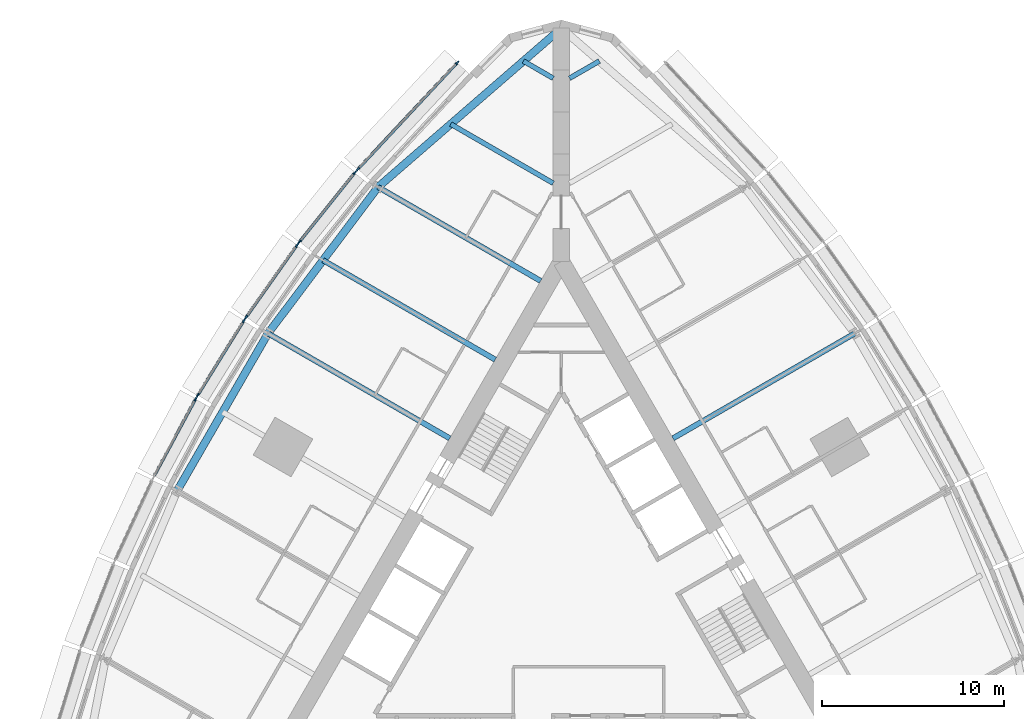
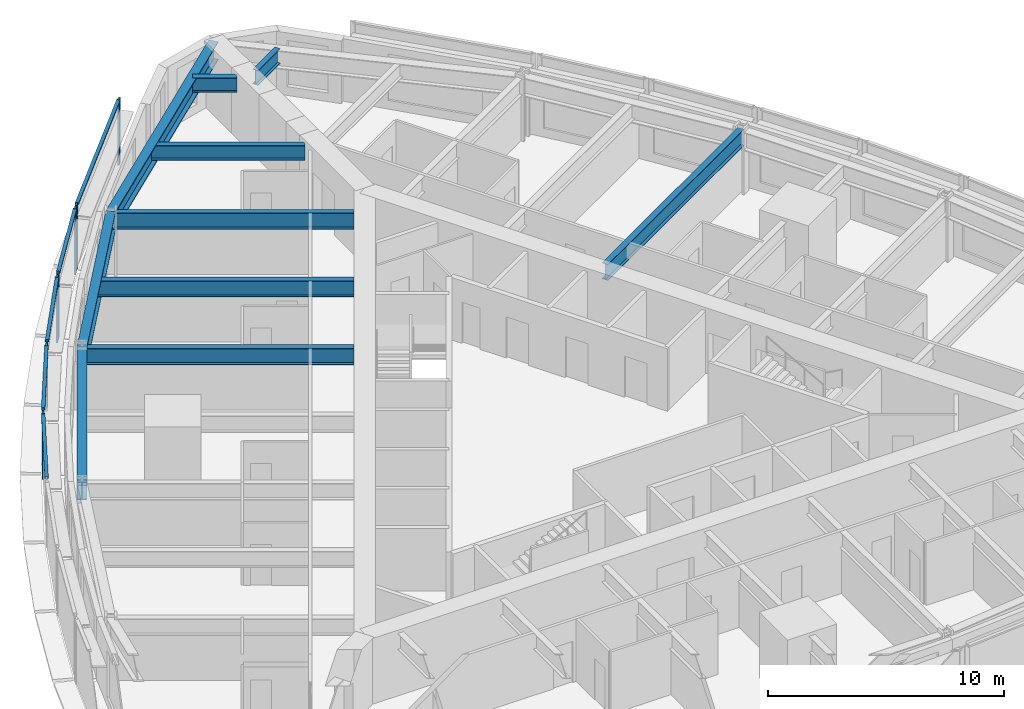
# One storey, part 4 of 14: 14 members, 10 beams, 5 elements without a shape of their own.
"""IFC4 building model written with IfcOpenShell, lengths in metres."""

from ifc_helpers import new_model, si_unit, direction, frame, origin, origin_2d, place, context, subcontext, project, spatial, rectangle, i_section, extrude, material, material_profile, profile_set, type_object, element, aggregate, save


model = new_model("IFC4")

# Units and contexts
model_context = context("Model", 3, precision=1e-05, world=origin(), true_north=direction((0.0, 1.0)))
body_context = subcontext(model_context, "Body", "Model", "MODEL_VIEW")
ifc_project = project(units=[si_unit("LENGTHUNIT", "METRE"), si_unit("AREAUNIT", "SQUARE_METRE"), si_unit("VOLUMEUNIT", "CUBIC_METRE"), si_unit("PLANEANGLEUNIT", "RADIAN"), si_unit("MASSUNIT", "GRAM", prefix="KILO")], contexts=[model_context])

# Site, building, storey
site_placement = place(None, origin())
site = spatial("IfcSite", under=ifc_project, at=site_placement, CompositionType="ELEMENT")
building_placement = place(site_placement, origin())
building = spatial("IfcBuilding", under=site, at=building_placement, Name="Trikona Tower", CompositionType="ELEMENT")
storey_placement = place(building_placement, frame((0.0, 0.0, 93.10009765625)))
storey = spatial("IfcBuildingStorey", under=building, at=storey_placement, Name="L24", CompositionType="ELEMENT", Elevation=93.10009765625)

# Curtain wall, members
ifc_material_1 = material(Name="Aluminium curtain wall system", Category="aluminium")
curtain_wall_type = type_object("IfcCurtainWallType", Name="Curtain wall DS1", PredefinedType="NOTDEFINED", material=ifc_material_1)
curtain_wall_1_placement = place(storey_placement, origin())
curtain_wall_1 = element("IfcCurtainWall", 1, at=curtain_wall_1_placement, inside=storey, type_object=curtain_wall_type, Name="Curtain wall DS1 L24", PredefinedType="NOTDEFINED")
ifc_material_2 = material(Name="Aluminium mullion, pale anodised", Category="aluminium")
ifc_material_profile_1 = material_profile(ifc_material_2, rectangle(XDim=0.080078125, YDim=0.219970703125, at=origin_2d()), Name="MUL-DS1")
ifc_profile_set_1 = profile_set([ifc_material_profile_1], Name="Aluminium mullion, pale anodised")
member_type_1 = type_object("IfcMemberType", Name="Mullion DS1 80x220", PredefinedType="MULLION", material=ifc_profile_set_1)
member_1_placement = place(storey_placement, frame((-5.72607421875, 29.98583984375, 0.0), z_axis=(0.0, 0.0, 1.0), x_axis=(0.731076639405, -0.682295351967, 0.0)))
member_1 = element("IfcMember", 2, at=member_1_placement, type_object=member_type_1, Name="CW-DS1 mullion 1", PredefinedType="MULLION", context=body_context, shape_type="SweptSolid", body=[
    extrude(rectangle(XDim=0.080078125, YDim=0.219970703125, at=origin_2d()), origin(), (0.0, 0.0, 1.0), 3.39990234375),
])
member_2_placement = place(storey_placement, frame((-11.192138671875, 24.129150390625, 0.0), z_axis=(0.0, 0.0, 1.0), x_axis=(0.731076639405, -0.682295351967, 0.0)))
member_2 = element("IfcMember", 3, at=member_2_placement, type_object=member_type_1, Name="CW-DS1 mullion 2", PredefinedType="MULLION", context=body_context, shape_type="SweptSolid", body=[
    extrude(rectangle(XDim=0.080078125, YDim=0.219970703125, at=origin_2d()), origin(), (0.0, 0.0, 1.0), 3.39990234375),
])

curtain_wall_2_placement = place(storey_placement, origin())
curtain_wall_2 = element("IfcCurtainWall", 4, at=curtain_wall_2_placement, inside=storey, type_object=curtain_wall_type, Name="Curtain wall DS1 L24", PredefinedType="NOTDEFINED")
member_3_placement = place(storey_placement, frame((-11.36767578125, 23.926025390625, 0.0), z_axis=(0.0, 0.0, 1.0), x_axis=(0.780937959679, -0.624608599951, 0.0)))
member_3 = element("IfcMember", 5, at=member_3_placement, type_object=member_type_1, Name="CW-DS1 mullion 1", PredefinedType="MULLION", context=body_context, shape_type="SweptSolid", body=[
    extrude(rectangle(XDim=0.080078125, YDim=0.219970703125, at=origin_2d()), origin(), (0.0, 0.0, 1.0), 3.39990234375),
])
member_4_placement = place(storey_placement, frame((-14.40185546875, 20.13232421875, 0.0), z_axis=(0.0, 0.0, 1.0), x_axis=(0.780937959679, -0.624608599951, 0.0)))
member_4 = element("IfcMember", 6, at=member_4_placement, type_object=member_type_1, Name="CW-DS1 mullion 2", PredefinedType="MULLION", context=body_context, shape_type="SweptSolid", body=[
    extrude(rectangle(XDim=0.080078125, YDim=0.219970703125, at=origin_2d()), origin(), (0.0, 0.0, 1.0), 3.39990234375),
])

curtain_wall_3_placement = place(storey_placement, origin())
curtain_wall_3 = element("IfcCurtainWall", 7, at=curtain_wall_3_placement, inside=storey, type_object=curtain_wall_type, Name="Curtain wall DS1 L24", PredefinedType="NOTDEFINED")
member_5_placement = place(storey_placement, frame((-14.554443359375, 19.929443359375, 0.0), z_axis=(0.0, 0.0, 1.0), x_axis=(0.816985393055, -0.576658362928, 0.0)))
member_5 = element("IfcMember", 8, at=member_5_placement, type_object=member_type_1, Name="CW-DS1 mullion 1", PredefinedType="MULLION", context=body_context, shape_type="SweptSolid", body=[
    extrude(rectangle(XDim=0.080078125, YDim=0.219970703125, at=origin_2d()), origin(), (0.0, 0.0, 1.0), 3.39990234375),
])
member_6_placement = place(storey_placement, frame((-17.33447265625, 15.990966796875, 0.0), z_axis=(0.0, 0.0, 1.0), x_axis=(0.816985393055, -0.576658362928, 0.0)))
member_6 = element("IfcMember", 9, at=member_6_placement, type_object=member_type_1, Name="CW-DS1 mullion 2", PredefinedType="MULLION", context=body_context, shape_type="SweptSolid", body=[
    extrude(rectangle(XDim=0.080078125, YDim=0.219970703125, at=origin_2d()), origin(), (0.0, 0.0, 1.0), 3.39990234375),
])

curtain_wall_4_placement = place(storey_placement, origin())
curtain_wall_4 = element("IfcCurtainWall", 10, at=curtain_wall_4_placement, inside=storey, type_object=curtain_wall_type, Name="Curtain wall DS1 L24", PredefinedType="NOTDEFINED")
member_7_placement = place(storey_placement, frame((-17.474853515625, 15.77880859375, 0.0), z_axis=(0.0, 0.0, 1.0), x_axis=(0.850410468941, -0.526119790842, 0.0)))
member_7 = element("IfcMember", 11, at=member_7_placement, type_object=member_type_1, Name="CW-DS1 mullion 1", PredefinedType="MULLION", context=body_context, shape_type="SweptSolid", body=[
    extrude(rectangle(XDim=0.080078125, YDim=0.219970703125, at=origin_2d()), origin(), (0.0, 0.0, 1.0), 3.39990234375),
])
member_8_placement = place(storey_placement, frame((-20.00146484375, 11.69482421875, 0.0), z_axis=(0.0, 0.0, 1.0), x_axis=(0.850410468941, -0.526119790842, 0.0)))
member_8 = element("IfcMember", 12, at=member_8_placement, type_object=member_type_1, Name="CW-DS1 mullion 2", PredefinedType="MULLION", context=body_context, shape_type="SweptSolid", body=[
    extrude(rectangle(XDim=0.080078125, YDim=0.219970703125, at=origin_2d()), origin(), (0.0, 0.0, 1.0), 3.39990234375),
])

# Curtain wall, member
curtain_wall_5_placement = place(storey_placement, origin())
curtain_wall_5 = element("IfcCurtainWall", 13, at=curtain_wall_5_placement, inside=storey, type_object=curtain_wall_type, Name="Curtain wall DS1 L24", PredefinedType="NOTDEFINED")
member_9_placement = place(storey_placement, frame((-20.128662109375, 11.474365234375, 0.0), z_axis=(0.0, 0.0, 1.0), x_axis=(0.880843080975, -0.473408350896, 0.0)))
member_9 = element("IfcMember", 14, at=member_9_placement, type_object=member_type_1, Name="CW-DS1 mullion 1", PredefinedType="MULLION", context=body_context, shape_type="SweptSolid", body=[
    extrude(rectangle(XDim=0.080078125, YDim=0.219970703125, at=origin_2d()), origin(), (0.0, 0.0, 1.0), 3.39990234375),
])

# Beams
ifc_material_3 = material(Name="Steel ASTM A992 Grade 50", Category="steel")
ifc_material_profile_2 = material_profile(ifc_material_3, i_section(OverallWidth=0.2666015625, OverallDepth=0.76953125, WebThickness=0.015625, FlangeThickness=0.025390625, at=origin_2d()), Name="W30X132")
ifc_profile_set_2 = profile_set([ifc_material_profile_2], Name="Steel ASTM A992 Grade 50")
beam_type_1 = type_object("IfcBeamType", Name="Steel beam W30x132 (wedge)", PredefinedType="BEAM", material=ifc_profile_set_2)
for number, where, z_axis, x_axis, name in (
    (15, (0.449951171875, 29.127197265625, 2.85009765625), (0.866009237431, 0.5000279999, 0.0), (-0.5000279999, 0.866009237431, 0.0), "Floor beam L25 F2 u25"),
    (16, (-0.449951171875, 29.127197265625, 2.85009765625), (-0.866009237431, 0.5000279999, 0.0), (-0.5000279999, -0.866009237431, 0.0), "Floor beam L25 F3 u-25"),
):
    element("IfcBeam", number, at=place(storey_placement, frame(where, z_axis=z_axis, x_axis=x_axis)), inside=storey, type_object=beam_type_1, Name=name, PredefinedType="BEAM", context=body_context, shape_type="SweptSolid", body=[
        extrude(i_section(OverallWidth=0.2666015625, OverallDepth=0.76953125, WebThickness=0.015625, FlangeThickness=0.025390625, at=origin_2d()), origin(), (0.0, 0.0, 1.0), 1.890625),
    ])
beam_1_placement = place(storey_placement, frame((-0.449951171875, 23.353759765625, 2.85009765625), z_axis=(-0.866022504693, 0.50000502134, 0.0), x_axis=(-0.50000502134, -0.866022504693, 0.0)))
element("IfcBeam", 17, at=beam_1_placement, inside=storey, type_object=beam_type_1, Name="Floor beam L25 F3 u-20", PredefinedType="BEAM", context=body_context, shape_type="SweptSolid", body=[
    extrude(i_section(OverallWidth=0.2666015625, OverallDepth=0.76953125, WebThickness=0.015625, FlangeThickness=0.025390625, at=origin_2d()), origin(), (0.0, 0.0, 1.0), 6.5068359375),
])
ifc_material_4 = material(Name="Steel ASTM A992 Grade 50", Category="steel")
ifc_material_profile_3 = material_profile(ifc_material_4, i_section(OverallWidth=0.2919921875, OverallDepth=0.845703125, WebThickness=0.015380859375, FlangeThickness=0.0244140625, at=origin_2d()), Name="W33X141")
ifc_profile_set_3 = profile_set([ifc_material_profile_3], Name="Steel ASTM A992 Grade 50")
beam_type_2 = type_object("IfcBeamType", Name="Steel beam W33x141 (radial typ)", PredefinedType="BEAM", material=ifc_profile_set_3)
beam_2_placement = place(storey_placement, frame((6.1396484375, 9.318359375, 2.81201171875), z_axis=(0.866029923217, 0.499992172032, 0.0), x_axis=(-0.499992172032, 0.866029923217, 0.0)))
element("IfcBeam", 18, at=beam_2_placement, inside=storey, type_object=beam_type_2, Name="Floor beam L25 F2 u5", PredefinedType="BEAM", context=body_context, shape_type="SweptSolid", body=[
    extrude(i_section(OverallWidth=0.2919921875, OverallDepth=0.845703125, WebThickness=0.015380859375, FlangeThickness=0.0244140625, at=origin_2d()), origin(), (0.0, 0.0, 1.0), 11.544189453125),
])
beam_3_placement = place(storey_placement, frame((-1.1396484375, 17.978515625, 2.81201171875), z_axis=(-0.866030471684, 0.499991222037, 0.0), x_axis=(-0.499991222037, -0.866030471684, 0.0)))
element("IfcBeam", 19, at=beam_3_placement, inside=storey, type_object=beam_type_2, Name="Floor beam L25 F3 u-15", PredefinedType="BEAM", context=body_context, shape_type="SweptSolid", body=[
    extrude(i_section(OverallWidth=0.2919921875, OverallDepth=0.845703125, WebThickness=0.015380859375, FlangeThickness=0.0244140625, at=origin_2d()), origin(), (0.0, 0.0, 1.0), 10.326904296875),
])
beam_4_placement = place(storey_placement, frame((-3.6396484375, 13.6484375, 2.81201171875), z_axis=(-0.866025348605, 0.500000095573, 0.0), x_axis=(-0.500000095573, -0.866025348605, 0.0)))
element("IfcBeam", 20, at=beam_4_placement, inside=storey, type_object=beam_type_2, Name="Floor beam L25 F3 u-10", PredefinedType="BEAM", context=body_context, shape_type="SweptSolid", body=[
    extrude(i_section(OverallWidth=0.2919921875, OverallDepth=0.845703125, WebThickness=0.015380859375, FlangeThickness=0.0244140625, at=origin_2d()), origin(), (0.0, 0.0, 1.0), 10.935546875),
])
beam_5_placement = place(storey_placement, frame((-6.1396484375, 9.318359375, 2.81201171875), z_axis=(-0.866029923217, 0.499992172032, 0.0), x_axis=(-0.499992172032, -0.866029923217, 0.0)))
element("IfcBeam", 21, at=beam_5_placement, inside=storey, type_object=beam_type_2, Name="Floor beam L25 F3 u-5", PredefinedType="BEAM", context=body_context, shape_type="SweptSolid", body=[
    extrude(i_section(OverallWidth=0.2919921875, OverallDepth=0.845703125, WebThickness=0.015380859375, FlangeThickness=0.0244140625, at=origin_2d()), origin(), (0.0, 0.0, 1.0), 11.544189453125),
])
ifc_material_5 = material(Name="Steel ASTM A992 Grade 50", Category="steel")
ifc_material_profile_4 = material_profile(ifc_material_5, i_section(OverallWidth=0.424072265625, OverallDepth=0.947509765625, WebThickness=0.02392578125, FlangeThickness=0.042724609375, at=origin_2d()), Name="W36X302")
ifc_profile_set_4 = profile_set([ifc_material_profile_4], Name="Steel ASTM A992 Grade 50")
beam_type_3 = type_object("IfcBeamType", Name="Steel beam W36x302 (spandrel)", PredefinedType="SPANDREL", material=ifc_profile_set_4)
beam_6_placement = place(storey_placement, frame((0.0, 31.881591796875, 2.76123046875), z_axis=(-0.755646822726, -0.654979296851, 0.0), x_axis=(0.654979296851, -0.755646822726, 0.0)))
element("IfcBeam", 22, at=beam_6_placement, inside=storey, type_object=beam_type_3, Name="Spandrel beam L25 F3-1", PredefinedType="SPANDREL", context=body_context, shape_type="SweptSolid", body=[
    extrude(i_section(OverallWidth=0.424072265625, OverallDepth=0.947509765625, WebThickness=0.02392578125, FlangeThickness=0.042724609375, at=origin_2d()), origin(), (0.0, 0.0, 1.0), 13.343505859375),
])
beam_7_placement = place(storey_placement, frame((-10.0830078125, 23.141845703125, 2.76123046875), z_axis=(-0.600988344191, -0.799257787042, 0.0), x_axis=(0.799257787042, -0.600988344191, 0.0)))
element("IfcBeam", 23, at=beam_7_placement, inside=storey, type_object=beam_type_3, Name="Spandrel beam L25 F3-2", PredefinedType="SPANDREL", context=body_context, shape_type="SweptSolid", body=[
    extrude(i_section(OverallWidth=0.424072265625, OverallDepth=0.947509765625, WebThickness=0.02392578125, FlangeThickness=0.042724609375, at=origin_2d()), origin(), (0.0, 0.0, 1.0), 10.07373046875),
])
beam_8_placement = place(storey_placement, frame((-16.13720703125, 15.09033203125, 2.76123046875), z_axis=(-0.500004234368, -0.866022959057, 0.0), x_axis=(0.866022959057, -0.500004234368, 0.0)))
element("IfcBeam", 24, at=beam_8_placement, inside=storey, type_object=beam_type_3, Name="Spandrel beam L25 F3-3", PredefinedType="SPANDREL", context=body_context, shape_type="SweptSolid", body=[
    extrude(i_section(OverallWidth=0.424072265625, OverallDepth=0.947509765625, WebThickness=0.02392578125, FlangeThickness=0.042724609375, at=origin_2d()), origin(), (0.0, 0.0, 1.0), 10.0),
])

# Member
ifc_material_6 = material(Name="Aluminium transom, pale anodised", Category="aluminium")
ifc_material_profile_5 = material_profile(ifc_material_6, rectangle(XDim=0.159912109375, YDim=0.080078125, at=origin_2d()), Name="TRN-DS1")
ifc_profile_set_5 = profile_set([ifc_material_profile_5], Name="Aluminium transom, pale anodised")
member_type_2 = type_object("IfcMemberType", Name="Transom DS1 80x160", PredefinedType="USERDEFINED", material=ifc_profile_set_5)
member_10_placement = place(storey_placement, frame((-5.75341796875, 29.95654296875, 3.35986328125), z_axis=(-0.682290830921, -0.731080858758, 0.0), x_axis=(0.731080858758, -0.682290830921, 0.0)))
member_10 = element("IfcMember", 25, at=member_10_placement, type_object=member_type_2, Name="CW-DS1 transom 1.1", ObjectType="TRANSOM", PredefinedType="USERDEFINED", context=body_context, shape_type="SweptSolid", body=[
    extrude(rectangle(XDim=0.159912109375, YDim=0.080078125, at=origin_2d()), origin(), (0.0, 0.0, 1.0), 7.93115234375),
])

aggregate(curtain_wall_1, [member_1, member_2, member_10])

member_11_placement = place(storey_placement, frame((-11.392822265625, 23.894775390625, 3.35986328125), z_axis=(-0.624589103832, -0.780953552636, 0.0), x_axis=(0.780953552636, -0.624589103832, 0.0)))
member_11 = element("IfcMember", 26, at=member_11_placement, type_object=member_type_2, Name="CW-DS1 transom 1.1", ObjectType="TRANSOM", PredefinedType="USERDEFINED", context=body_context, shape_type="SweptSolid", body=[
    extrude(rectangle(XDim=0.159912109375, YDim=0.080078125, at=origin_2d()), origin(), (0.0, 0.0, 1.0), 4.77783203125),
])

aggregate(curtain_wall_2, [member_3, member_4, member_11])

member_12_placement = place(storey_placement, frame((-14.57763671875, 19.896728515625, 3.35986328125), z_axis=(-0.57664478015, -0.816994980111, 0.0), x_axis=(0.816994980111, -0.57664478015, 0.0)))
member_12 = element("IfcMember", 27, at=member_12_placement, type_object=member_type_2, Name="CW-DS1 transom 1.1", ObjectType="TRANSOM", PredefinedType="USERDEFINED", context=body_context, shape_type="SweptSolid", body=[
    extrude(rectangle(XDim=0.159912109375, YDim=0.080078125, at=origin_2d()), origin(), (0.0, 0.0, 1.0), 4.740478515625),
])

aggregate(curtain_wall_3, [member_5, member_6, member_12])

member_13_placement = place(storey_placement, frame((-17.495849609375, 15.744873046875, 3.35986328125), z_axis=(-0.526080502257, -0.850434774186, 0.0), x_axis=(0.850434774186, -0.526080502257, 0.0)))
member_13 = element("IfcMember", 28, at=member_13_placement, type_object=member_type_2, Name="CW-DS1 transom 1.1", ObjectType="TRANSOM", PredefinedType="USERDEFINED", context=body_context, shape_type="SweptSolid", body=[
    extrude(rectangle(XDim=0.159912109375, YDim=0.080078125, at=origin_2d()), origin(), (0.0, 0.0, 1.0), 4.722412109375),
])

aggregate(curtain_wall_4, [member_7, member_8, member_13])

member_14_placement = place(storey_placement, frame((-20.147705078125, 11.43896484375, 3.35986328125), z_axis=(-0.473427569755, -0.880832751546, 0.0), x_axis=(0.880832751546, -0.473427569755, 0.0)))
member_14 = element("IfcMember", 29, at=member_14_placement, type_object=member_type_2, Name="CW-DS1 transom 1.1", ObjectType="TRANSOM", PredefinedType="USERDEFINED", context=body_context, shape_type="SweptSolid", body=[
    extrude(rectangle(XDim=0.159912109375, YDim=0.080078125, at=origin_2d()), origin(), (0.0, 0.0, 1.0), 4.72216796875),
])

aggregate(curtain_wall_5, [member_9, member_14])

save(model, "model.ifc")
